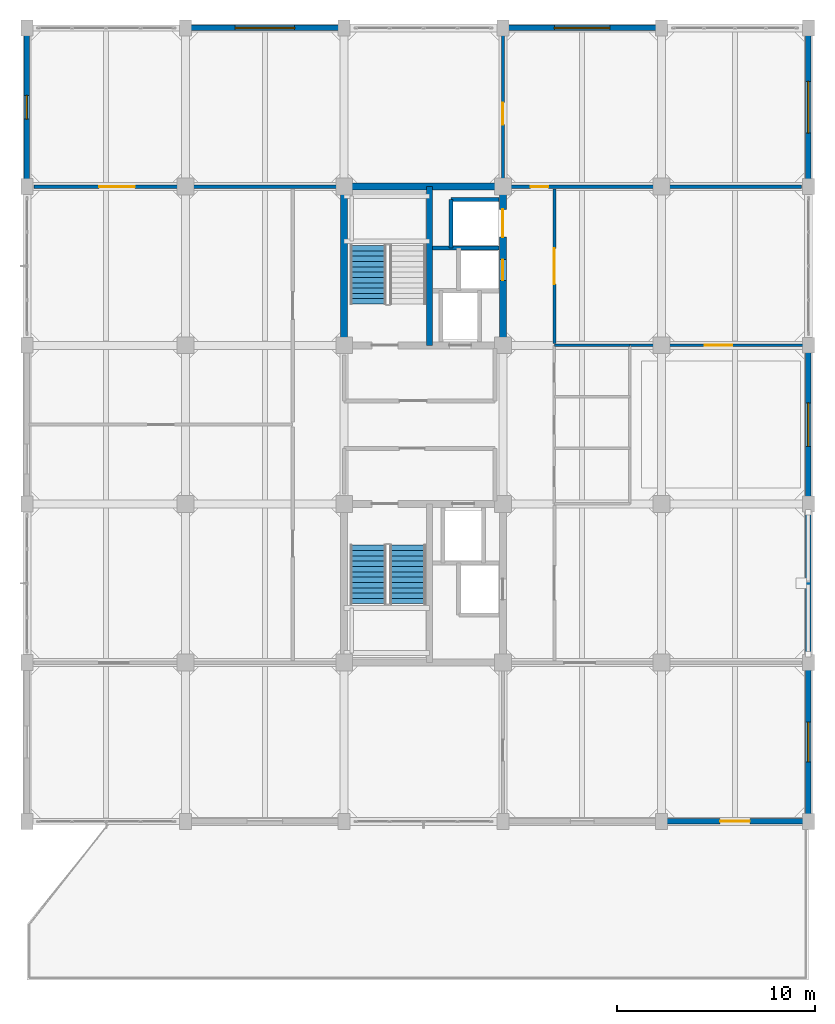
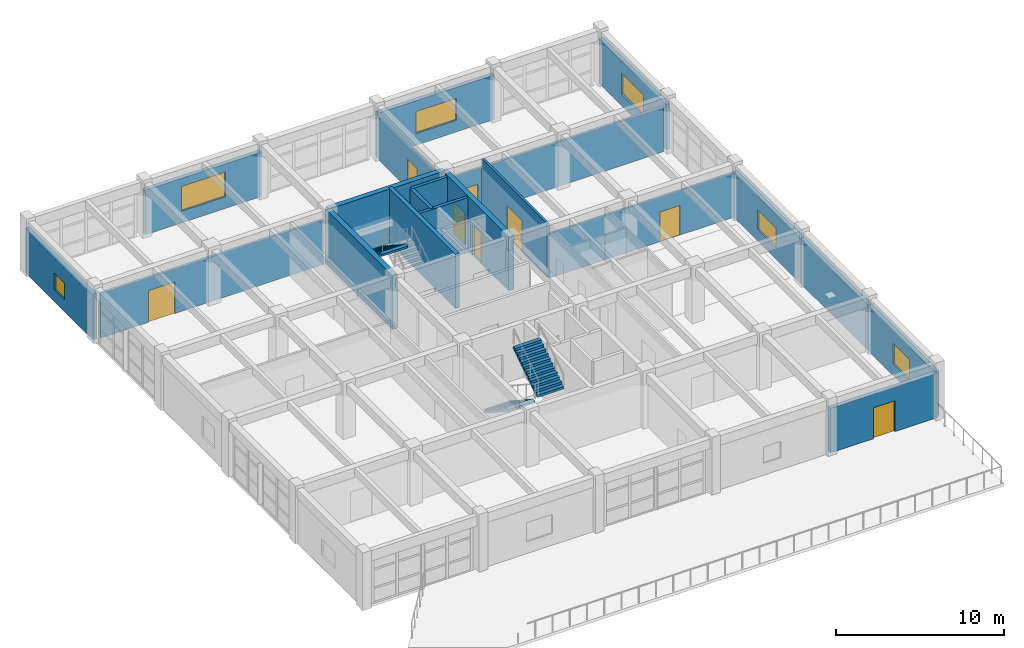
# One storey, part 23 of 30: 21 walls, 8 doors, 6 windows, 3 stair flights, 14 openings, 2 elements without a shape of their own.
"""IFC4 building model written with IfcOpenShell, lengths in metres."""

import ifcopenshell
import ifcopenshell.guid

model = None  # the IFC model being written
_history = None  # IfcOwnerHistory: only IFC2X3 demands one
_inside = {}  # id of a spatial element -> (the spatial element, [elements in it])
_under = {}  # id of a project, library or spatial element -> (it, [spatial elements below it])
_declared = {}  # id of a project -> (the project, [libraries it declares])
_typed = {}  # id of a type object -> (the type object, [elements of that type])
_made_of = {}  # id of a material, layer set ... -> (it, [elements and type objects made of it])


def new_model(schema):
    """Start an empty IFC model of exactly this schema.

    Asked for "IFC4X3", IfcOpenShell would pick the latest addendum, in which some entities
    have other attributes; the version numbers below select the first issue.
    IFC2X3 requires an IfcOwnerHistory on every rooted entity: one is made here for all.
    """
    global model, _history
    if schema == "IFC4X3":
        model = ifcopenshell.file(schema_version=(4, 3, 0, 0))
    else:
        model = ifcopenshell.file(schema=schema)
    _inside.clear()
    _under.clear()
    _declared.clear()
    _typed.clear()
    _made_of.clear()
    _history = None
    if model.schema == "IFC2X3":
        org = make("IfcOrganization", Name="unknown")
        user = make(
            "IfcPersonAndOrganization",
            ThePerson=make("IfcPerson", FamilyName="unknown"),
            TheOrganization=org,
        )
        app = make(
            "IfcApplication",
            ApplicationDeveloper=org,
            Version="unknown",
            ApplicationFullName="unknown",
            ApplicationIdentifier="unknown",
        )
        _history = make(
            "IfcOwnerHistory",
            OwningUser=user,
            OwningApplication=app,
            ChangeAction="ADDED",
            CreationDate=0,
        )
    return model


def make(cls, **values):
    """One entity of the class cls with the attributes given. An attribute that is None is left unset."""
    return model.create_entity(
        cls, **{name: value for name, value in values.items() if value is not None}
    )


def rooted(cls, **values):
    """An entity with a GlobalId (a new one), such as an element, a storey or a relation."""
    return make(cls, GlobalId=ifcopenshell.guid.new(), OwnerHistory=_history, **values)


def si_unit(unit_type, name, prefix=None):
    """IfcSIUnit, for example si_unit("LENGTHUNIT", "METRE", prefix="MILLI")."""
    return make("IfcSIUnit", UnitType=unit_type, Prefix=prefix, Name=name)


def assignment(units):
    """IfcUnitAssignment: the units of a project."""
    return None if units is None else make("IfcUnitAssignment", Units=units)


def point(xyz):
    """IfcCartesianPoint."""
    return None if xyz is None else make("IfcCartesianPoint", Coordinates=xyz)


def direction(xyz):
    """IfcDirection."""
    return None if xyz is None else make("IfcDirection", DirectionRatios=xyz)


def frame(location, z_axis=None, x_axis=None):
    """IfcAxis2Placement3D, a coordinate frame: its origin and axes. An axis left out is left unset."""
    return make(
        "IfcAxis2Placement3D",
        Location=point(location),
        Axis=direction(z_axis),
        RefDirection=direction(x_axis),
    )


def frame_2d(location, x_axis=None):
    """IfcAxis2Placement2D, a coordinate frame in the plane: its origin and x axis."""
    return make(
        "IfcAxis2Placement2D", Location=point(location), RefDirection=direction(x_axis)
    )


def origin():
    """The frame at (0, 0, 0) with its axes left unset."""
    return frame((0.0, 0.0, 0.0))


def place(relative_to, where):
    """IfcLocalPlacement: puts the frame where relative to a parent placement (None: the world)."""
    return make(
        "IfcLocalPlacement", PlacementRelTo=relative_to, RelativePlacement=where
    )


def context(
    kind, dimensions, precision=None, world=None, true_north=None, identifier=None
):
    """IfcGeometricRepresentationContext, for example the 3D "Model" context."""
    return make(
        "IfcGeometricRepresentationContext",
        ContextIdentifier=identifier,
        ContextType=kind,
        CoordinateSpaceDimension=dimensions,
        Precision=precision,
        WorldCoordinateSystem=world,
        TrueNorth=true_north,
    )


def subcontext(parent, identifier, kind, view, scale=None):
    """IfcGeometricRepresentationSubContext, for example "Body" below "Model"."""
    return make(
        "IfcGeometricRepresentationSubContext",
        ContextIdentifier=identifier,
        ContextType=kind,
        ParentContext=parent,
        TargetScale=scale,
        TargetView=view,
    )


def project(units=None, contexts=None):
    """IfcProject with its units and contexts."""
    return rooted(
        "IfcProject",
        Name="project",
        RepresentationContexts=contexts,
        UnitsInContext=assignment(units),
    )


def spatial(cls, under=None, at=None, **own):
    """A site, building, storey or space (cls), placed at a placement, below another one or the project."""
    s = rooted(cls, ObjectPlacement=at, **own)
    if under is not None:
        _under.setdefault(under.id(), (under, []))[1].append(s)
    return s


def polyline(points):
    """IfcPolyline through the points."""
    return make("IfcPolyline", Points=[point(p) for p in points])


def profile(cls, at=None, kind="AREA", **sizes):
    """A parametric profile (cls). Its sizes go by their IFC names, for example OverallWidth=200.0."""
    return make(cls, ProfileType=kind, Position=at, **sizes)


def rectangle(**sizes):
    """IfcRectangleProfileDef."""
    return profile("IfcRectangleProfileDef", **sizes)


def outline(outer, holes=None, kind="AREA"):
    """IfcArbitraryClosedProfileDef: a profile drawn as a closed curve; with holes, ...WithVoids."""
    if holes is None:
        return make("IfcArbitraryClosedProfileDef", ProfileType=kind, OuterCurve=outer)
    return make(
        "IfcArbitraryProfileDefWithVoids",
        ProfileType=kind,
        OuterCurve=outer,
        InnerCurves=holes,
    )


def extrude(swept, where, along, depth):
    """IfcExtrudedAreaSolid: the profile swept, set in the frame where, extruded along a direction by depth."""
    return make(
        "IfcExtrudedAreaSolid",
        SweptArea=swept,
        Position=where,
        ExtrudedDirection=direction(along),
        Depth=depth,
    )


def shape(context_of_items, identifier, shape_type, items):
    """IfcShapeRepresentation: the items that make up one representation, for example the "Body"."""
    return make(
        "IfcShapeRepresentation",
        ContextOfItems=context_of_items,
        RepresentationIdentifier=identifier,
        RepresentationType=shape_type,
        Items=items,
    )


def material(Name=None, Category=None):
    """IfcMaterial."""
    return make("IfcMaterial", Name=Name, Category=Category)


def layer(
    of_material, thickness, ventilated=None, Name=None, Category=None, Priority=None
):
    """IfcMaterialLayer: one layer of a wall or slab, of a material (None: an air gap)."""
    return make(
        "IfcMaterialLayer",
        Material=of_material,
        LayerThickness=thickness,
        IsVentilated=ventilated,
        Name=Name,
        Category=Category,
        Priority=Priority,
    )


def layer_set(layers, Name=None):
    """IfcMaterialLayerSet."""
    return make("IfcMaterialLayerSet", MaterialLayers=layers, LayerSetName=Name)


def made_of(thing, what):
    """Note that an element or type object is made of a material, layer set ...; save() writes the relation."""
    if what is not None:
        _made_of.setdefault(what.id(), (what, []))[1].append(thing)
    return thing


def type_object(cls, material=None, **own):
    """A type object (cls), such as IfcWallType, which elements share."""
    return made_of(rooted(cls, **own), material)


def element(
    cls,
    number,
    at=None,
    inside=None,
    cuts=None,
    type_object=None,
    material=None,
    context=None,
    identifier="Body",
    shape_type=None,
    held_by="IfcProductDefinitionShape",
    body=None,
    shapes=None,
    **own,
):
    """One element of the class cls, such as IfcWall. Its Tag is "e" and its number.

    at: its placement. inside: the storey or other place that contains it. cuts: it is an
    opening in that element (IfcRelVoidsElement). A single representation is given by context,
    identifier, shape_type and body (its items); several are given by shapes. held_by: the class
    of the entity that holds the representations. save() writes the other relations.
    """
    e = rooted(cls, Tag="e%d" % number, ObjectPlacement=at, **own)
    if body is not None:
        shapes = [shape(context, identifier, shape_type, body)]
    if shapes is not None:
        e.Representation = make(held_by, Representations=shapes)
    if inside is not None:
        _inside.setdefault(inside.id(), (inside, []))[1].append(e)
    if cuts is not None:
        rooted(
            "IfcRelVoidsElement", RelatingBuildingElement=cuts, RelatedOpeningElement=e
        )
    if type_object is not None:
        _typed.setdefault(type_object.id(), (type_object, []))[1].append(e)
    return made_of(e, material)


def fill(opening, filler):
    """IfcRelFillsElement: the door or window that sits in an opening."""
    return rooted(
        "IfcRelFillsElement",
        RelatingOpeningElement=opening,
        RelatedBuildingElement=filler,
    )


def aggregate(whole, parts):
    """IfcRelAggregates: a whole, such as a stair, and the parts it consists of."""
    return rooted("IfcRelAggregates", RelatingObject=whole, RelatedObjects=parts)


def save(model, path):
    """Write the relations noted so far, then the file.

    IfcRelAggregates (storeys below a building ...), IfcRelContainedInSpatialStructure (elements
    in a storey), IfcRelDefinesByType, IfcRelAssociatesMaterial and IfcRelDeclares: one each for
    every whole, place, type object, material and project.
    """
    for whole, parts in _under.values():
        aggregate(whole, parts)
    for where, things in _inside.values():
        rooted(
            "IfcRelContainedInSpatialStructure",
            RelatedElements=things,
            RelatingStructure=where,
        )
    for kind, things in _typed.values():
        rooted("IfcRelDefinesByType", RelatedObjects=things, RelatingType=kind)
    for what, things in _made_of.values():
        rooted("IfcRelAssociatesMaterial", RelatedObjects=things, RelatingMaterial=what)
    for by, libraries in _declared.values():
        rooted("IfcRelDeclares", RelatingContext=by, RelatedDefinitions=libraries)
    model.write(path)


model = new_model("IFC4")

# Units and contexts
model_context = context("Model", 3, precision=1e-05, world=origin(), true_north=direction((0.0, 1.0)))
body_context = subcontext(model_context, "Body", "Model", "MODEL_VIEW")
ifc_project = project(units=[si_unit("LENGTHUNIT", "METRE"), si_unit("AREAUNIT", "SQUARE_METRE"), si_unit("VOLUMEUNIT", "CUBIC_METRE"), si_unit("PLANEANGLEUNIT", "RADIAN"), si_unit("MASSUNIT", "GRAM", prefix="KILO")], contexts=[model_context])

# Site, building, storey
site_placement = place(None, origin())
site = spatial("IfcSite", under=ifc_project, at=site_placement, CompositionType="ELEMENT")
building_placement = place(site_placement, origin())
building = spatial("IfcBuilding", under=site, at=building_placement, Name="Canggui Botanical Conservatory", CompositionType="ELEMENT")
storey_placement = place(building_placement, frame((0.0, 0.0, 27.60009765625)))
storey = spatial("IfcBuildingStorey", under=building, at=storey_placement, Name="L07", CompositionType="ELEMENT", Elevation=27.60009765625)

# Wall, opening, door
ifc_material_1 = material(Name="Precast Concrete C40", Category="concrete")
ifc_layer_1 = layer(ifc_material_1, 0.280029296875, Name="Precast Concrete C40", Category="concrete")
ifc_layer_set_1 = layer_set([ifc_layer_1], Name="Precast Concrete C40")
wall_type_1 = type_object("IfcWallType", Name="EW-280", PredefinedType="STANDARD", material=ifc_layer_set_1)
wall_1_placement = place(storey_placement, frame((177.39990234375, 34.0, 0.0), z_axis=(0.0, 0.0, 1.0), x_axis=(-1.0, 0.0, 0.0)))
wall_1 = element("IfcWall", 1, at=wall_1_placement, inside=storey, type_object=wall_type_1, Name="Tower Insulated Exterior Wall L07-S1", PredefinedType="STANDARD", context=body_context, shape_type="SweptSolid", body=[
    extrude(rectangle(XDim=7.39990234375, YDim=0.280029296875, at=frame_2d((3.699951171875, 0.0))), origin(), (0.0, 0.0, 1.0), 3.239990234375),
])
opening_1_placement = place(wall_1_placement, frame((2.949951171875, 0.0, 0.0)))
opening_1 = element("IfcOpeningElement", 2, at=opening_1_placement, cuts=wall_1, Name="Opening TD-01", PredefinedType="OPENING", context=body_context, shape_type="SweptSolid", body=[
    extrude(rectangle(XDim=1.5, YDim=2.25, at=frame_2d((0.75, 1.125))), frame((0.0, 0.14990234375, 0.0), z_axis=(0.0, -1.0, 0.0), x_axis=(1.0, 0.0, 0.0)), (0.0, 0.0, 1.0), 0.300048828125),
])
ifc_material_2 = material(Name="Anodised Aluminium", Category="aluminium")
door_type_1 = type_object("IfcDoorType", Name="EDR-TER15", OperationType="NOTDEFINED", PredefinedType="DOOR", material=ifc_material_2)
door_1_placement = place(opening_1_placement, origin())
door_1 = element("IfcDoor", 3, at=door_1_placement, inside=storey, type_object=door_type_1, Name="Sky Terrace Access Door L07", OperationType="SINGLE_SWING_LEFT", OverallHeight=2.25, OverallWidth=1.5, PredefinedType="DOOR", context=body_context, shape_type="SweptSolid", body=[
    extrude(rectangle(XDim=1.5, YDim=2.25, at=frame_2d((0.75, 1.125))), frame((0.0, 0.02490234375, 0.0), z_axis=(0.0, -1.0, 0.0), x_axis=(1.0, 0.0, 0.0)), (0.0, 0.0, 1.0), 0.050048828125),
])
fill(opening_1, door_1)

# Wall, opening, window
wall_2_placement = place(storey_placement, frame((138.0, 66.0, 0.0), z_axis=(0.0, 0.0, 1.0), x_axis=(0.0, 1.0, 0.0)))
wall_2 = element("IfcWall", 4, at=wall_2_placement, inside=storey, type_object=wall_type_1, Name="Tower Insulated Exterior Wall L07-W10", PredefinedType="STANDARD", context=body_context, shape_type="SweptSolid", body=[
    extrude(rectangle(XDim=8.0, YDim=0.280029296875, at=frame_2d((4.0, 0.0))), origin(), (0.0, 0.0, 1.0), 3.289794921875),
])
opening_2_placement = place(wall_2_placement, frame((3.39990234375, 0.0, 0.85009765625)))
opening_2 = element("IfcOpeningElement", 5, at=opening_2_placement, cuts=wall_2, Name="Opening W-06", PredefinedType="OPENING", context=body_context, shape_type="SweptSolid", body=[
    extrude(rectangle(XDim=1.199951171875, YDim=1.199951171875, at=frame_2d((0.60009765625, 0.60009765625))), frame((0.0, 0.14990234375, 0.0), z_axis=(0.0, -1.0, 0.0), x_axis=(1.0, 0.0, 0.0)), (0.0, 0.0, 1.0), 0.300048828125),
])
ifc_material_3 = material(Name="Low-E Insulated Glass", Category="glass")
window_type_1 = type_object("IfcWindowType", Name="WIN-06", PartitioningType="SINGLE_PANEL", PredefinedType="WINDOW", material=ifc_material_3)
window_1_placement = place(opening_2_placement, origin())
window_1 = element("IfcWindow", 6, at=window_1_placement, inside=storey, type_object=window_type_1, Name="Tower Firefighter Rescue Window L07-10", OverallHeight=1.199951171875, OverallWidth=1.199951171875, PartitioningType="SINGLE_PANEL", PredefinedType="WINDOW", context=body_context, shape_type="SweptSolid", body=[
    extrude(rectangle(XDim=1.199951171875, YDim=1.199951171875, at=frame_2d((0.60009765625, 0.60009765625))), frame((0.0, 0.030029296875, 0.0), z_axis=(0.0, -1.0, 0.0), x_axis=(1.0, 0.0, 0.0)), (0.0, 0.0, 1.0), 0.06005859375),
])
fill(opening_2, window_1)

wall_3_placement = place(storey_placement, frame((146.0, 74.0, 0.0), z_axis=(0.0, 0.0, 1.0), x_axis=(1.0, 0.0, 0.0)))
wall_3 = element("IfcWall", 7, at=wall_3_placement, inside=storey, type_object=wall_type_1, Name="Tower Insulated Exterior Wall L07-N12", PredefinedType="STANDARD", context=body_context, shape_type="SweptSolid", body=[
    extrude(rectangle(XDim=8.0, YDim=0.280029296875, at=frame_2d((4.0, 0.0))), origin(), (0.0, 0.0, 1.0), 3.239990234375),
])
opening_3_placement = place(wall_3_placement, frame((2.5, 0.0, 0.85009765625)))
opening_3 = element("IfcOpeningElement", 8, at=opening_3_placement, cuts=wall_3, Name="Opening W-07", PredefinedType="OPENING", context=body_context, shape_type="SweptSolid", body=[
    extrude(rectangle(XDim=3.0, YDim=1.800048828125, at=frame_2d((1.5, 0.89990234375))), frame((0.0, 0.14990234375, 0.0), z_axis=(0.0, -1.0, 0.0), x_axis=(1.0, 0.0, 0.0)), (0.0, 0.0, 1.0), 0.300048828125),
])
window_type_2 = type_object("IfcWindowType", Name="WIN-07", PartitioningType="TRIPLE_PANEL_VERTICAL", PredefinedType="WINDOW", material=ifc_material_3)
window_2_placement = place(opening_3_placement, origin())
window_2 = element("IfcWindow", 9, at=window_2_placement, inside=storey, type_object=window_type_2, Name="Tower Window L07-12", OverallHeight=1.800048828125, OverallWidth=3.0, PartitioningType="SINGLE_PANEL", PredefinedType="WINDOW", context=body_context, shape_type="SweptSolid", body=[
    extrude(rectangle(XDim=3.0, YDim=1.800048828125, at=frame_2d((1.5, 0.89990234375))), frame((0.0, 0.030029296875, 0.0), z_axis=(0.0, -1.0, 0.0), x_axis=(1.0, 0.0, 0.0)), (0.0, 0.0, 1.0), 0.06005859375),
])
fill(opening_3, window_2)

wall_4_placement = place(storey_placement, frame((162.0, 74.0, 0.0), z_axis=(0.0, 0.0, 1.0), x_axis=(1.0, 0.0, 0.0)))
wall_4 = element("IfcWall", 10, at=wall_4_placement, inside=storey, type_object=wall_type_1, Name="Tower Insulated Exterior Wall L07-N14", PredefinedType="STANDARD", context=body_context, shape_type="SweptSolid", body=[
    extrude(rectangle(XDim=8.0, YDim=0.280029296875, at=frame_2d((4.0, 0.0))), origin(), (0.0, 0.0, 1.0), 3.239990234375),
])
opening_4_placement = place(wall_4_placement, frame((2.60009765625, 0.0, 0.85009765625)))
opening_4 = element("IfcOpeningElement", 11, at=opening_4_placement, cuts=wall_4, Name="Opening W-08", PredefinedType="OPENING", context=body_context, shape_type="SweptSolid", body=[
    extrude(rectangle(XDim=2.800048828125, YDim=1.60009765625, at=frame_2d((1.39990234375, 0.800048828125))), frame((0.0, 0.14990234375, 0.0), z_axis=(0.0, -1.0, 0.0), x_axis=(1.0, 0.0, 0.0)), (0.0, 0.0, 1.0), 0.300048828125),
])
window_type_3 = type_object("IfcWindowType", Name="WIN-08", PartitioningType="TRIPLE_PANEL_VERTICAL", PredefinedType="WINDOW", material=ifc_material_3)
window_3_placement = place(opening_4_placement, origin())
window_3 = element("IfcWindow", 12, at=window_3_placement, inside=storey, type_object=window_type_3, Name="Tower Window L07-14", OverallHeight=1.60009765625, OverallWidth=2.800048828125, PartitioningType="SINGLE_PANEL", PredefinedType="WINDOW", context=body_context, shape_type="SweptSolid", body=[
    extrude(rectangle(XDim=2.800048828125, YDim=1.60009765625, at=frame_2d((1.39990234375, 0.800048828125))), frame((0.0, 0.030029296875, 0.0), z_axis=(0.0, -1.0, 0.0), x_axis=(1.0, 0.0, 0.0)), (0.0, 0.0, 1.0), 0.06005859375),
])
fill(opening_4, window_3)

wall_5_placement = place(storey_placement, frame((177.39990234375, 74.0, 0.0), z_axis=(0.0, 0.0, 1.0), x_axis=(0.0, -1.0, 0.0)))
wall_5 = element("IfcWall", 13, at=wall_5_placement, inside=storey, type_object=wall_type_1, Name="Tower Insulated Exterior Wall L07-E16", PredefinedType="STANDARD", context=body_context, shape_type="SweptSolid", body=[
    extrude(rectangle(XDim=8.0, YDim=0.280029296875, at=frame_2d((4.0, 0.0))), origin(), (0.0, 0.0, 1.0), 3.289794921875),
])
opening_5_placement = place(wall_5_placement, frame((2.699951171875, 0.0, 0.85009765625)))
opening_5 = element("IfcOpeningElement", 14, at=opening_5_placement, cuts=wall_5, Name="Opening W-09", PredefinedType="OPENING", context=body_context, shape_type="SweptSolid", body=[
    extrude(rectangle(XDim=2.60009765625, YDim=1.5, at=frame_2d((1.300048828125, 0.75))), frame((0.0, 0.14990234375, 0.0), z_axis=(0.0, -1.0, 0.0), x_axis=(1.0, 0.0, 0.0)), (0.0, 0.0, 1.0), 0.300048828125),
])
window_type_4 = type_object("IfcWindowType", Name="WIN-09", PartitioningType="DOUBLE_PANEL_VERTICAL", PredefinedType="WINDOW", material=ifc_material_3)
window_4_placement = place(opening_5_placement, origin())
window_4 = element("IfcWindow", 15, at=window_4_placement, inside=storey, type_object=window_type_4, Name="Tower Window L07-16", OverallHeight=1.5, OverallWidth=2.60009765625, PartitioningType="SINGLE_PANEL", PredefinedType="WINDOW", context=body_context, shape_type="SweptSolid", body=[
    extrude(rectangle(XDim=2.60009765625, YDim=1.5, at=frame_2d((1.300048828125, 0.75))), frame((0.0, 0.030029296875, 0.0), z_axis=(0.0, -1.0, 0.0), x_axis=(1.0, 0.0, 0.0)), (0.0, 0.0, 1.0), 0.06005859375),
])
fill(opening_5, window_4)

wall_6_placement = place(storey_placement, frame((177.39990234375, 58.0, 0.0), z_axis=(0.0, 0.0, 1.0), x_axis=(0.0, -1.0, 0.0)))
wall_6 = element("IfcWall", 16, at=wall_6_placement, inside=storey, type_object=wall_type_1, Name="Tower Insulated Exterior Wall L07-E18", PredefinedType="STANDARD", context=body_context, shape_type="SweptSolid", body=[
    extrude(rectangle(XDim=8.0, YDim=0.280029296875, at=frame_2d((4.0, 0.0))), origin(), (0.0, 0.0, 1.0), 3.289794921875),
])
opening_6_placement = place(wall_6_placement, frame((2.89990234375, 0.0, 0.85009765625)))
opening_6 = element("IfcOpeningElement", 17, at=opening_6_placement, cuts=wall_6, Name="Opening W-10", PredefinedType="OPENING", context=body_context, shape_type="SweptSolid", body=[
    extrude(rectangle(XDim=2.199951171875, YDim=1.39990234375, at=frame_2d((1.10009765625, 0.699951171875))), frame((0.0, 0.14990234375, 0.0), z_axis=(0.0, -1.0, 0.0), x_axis=(1.0, 0.0, 0.0)), (0.0, 0.0, 1.0), 0.300048828125),
])
window_type_5 = type_object("IfcWindowType", Name="WIN-10", PartitioningType="DOUBLE_PANEL_VERTICAL", PredefinedType="WINDOW", material=ifc_material_3)
window_5_placement = place(opening_6_placement, origin())
window_5 = element("IfcWindow", 18, at=window_5_placement, inside=storey, type_object=window_type_5, Name="Tower Window L07-18", OverallHeight=1.39990234375, OverallWidth=2.199951171875, PartitioningType="SINGLE_PANEL", PredefinedType="WINDOW", context=body_context, shape_type="SweptSolid", body=[
    extrude(rectangle(XDim=2.199951171875, YDim=1.39990234375, at=frame_2d((1.10009765625, 0.699951171875))), frame((0.0, 0.030029296875, 0.0), z_axis=(0.0, -1.0, 0.0), x_axis=(1.0, 0.0, 0.0)), (0.0, 0.0, 1.0), 0.06005859375),
])
fill(opening_6, window_5)

# Wall
wall_7_placement = place(storey_placement, frame((177.39990234375, 50.0, 0.0), z_axis=(0.0, 0.0, 1.0), x_axis=(0.0, -1.0, 0.0)))
element("IfcWall", 19, at=wall_7_placement, inside=storey, type_object=wall_type_1, Name="Tower Insulated Exterior Wall L07-E19", PredefinedType="STANDARD", context=body_context, shape_type="SweptSolid", body=[
    extrude(rectangle(XDim=8.0, YDim=0.280029296875, at=frame_2d((4.0, 0.0))), origin(), (0.0, 0.0, 1.0), 3.289794921875),
])

# Wall, opening, window
wall_8_placement = place(storey_placement, frame((177.39990234375, 42.0, 0.0), z_axis=(0.0, 0.0, 1.0), x_axis=(0.0, -1.0, 0.0)))
wall_8 = element("IfcWall", 20, at=wall_8_placement, inside=storey, type_object=wall_type_1, Name="Tower Insulated Exterior Wall L07-E20", PredefinedType="STANDARD", context=body_context, shape_type="SweptSolid", body=[
    extrude(rectangle(XDim=8.0, YDim=0.280029296875, at=frame_2d((4.0, 0.0))), origin(), (0.0, 0.0, 1.0), 3.289794921875),
])
opening_7_placement = place(wall_8_placement, frame((3.0, 0.0, 0.85009765625)))
opening_7 = element("IfcOpeningElement", 21, at=opening_7_placement, cuts=wall_8, Name="Opening W-11", PredefinedType="OPENING", context=body_context, shape_type="SweptSolid", body=[
    extrude(rectangle(XDim=2.0, YDim=1.5, at=frame_2d((1.0, 0.75))), frame((0.0, 0.14990234375, 0.0), z_axis=(0.0, -1.0, 0.0), x_axis=(1.0, 0.0, 0.0)), (0.0, 0.0, 1.0), 0.300048828125),
])
window_type_6 = type_object("IfcWindowType", Name="WIN-11", PartitioningType="DOUBLE_PANEL_VERTICAL", PredefinedType="WINDOW", material=ifc_material_3)
window_6_placement = place(opening_7_placement, origin())
window_6 = element("IfcWindow", 22, at=window_6_placement, inside=storey, type_object=window_type_6, Name="Tower Window L07-20", OverallHeight=1.5, OverallWidth=2.0, PartitioningType="SINGLE_PANEL", PredefinedType="WINDOW", context=body_context, shape_type="SweptSolid", body=[
    extrude(rectangle(XDim=2.0, YDim=1.5, at=frame_2d((1.0, 0.75))), frame((0.0, 0.030029296875, 0.0), z_axis=(0.0, -1.0, 0.0), x_axis=(1.0, 0.0, 0.0)), (0.0, 0.0, 1.0), 0.06005859375),
])
fill(opening_7, window_6)

# Wall, opening, door
ifc_material_4 = material(Name="Gypsum Plasterboard Partition")
ifc_layer_2 = layer(ifc_material_4, 0.175048828125, Name="Gypsum Plasterboard Partition")
ifc_layer_set_2 = layer_set([ifc_layer_2], Name="Gypsum Plasterboard Partition")
wall_type_2 = type_object("IfcWallType", Name="IW-CORR-175", PredefinedType="STANDARD", material=ifc_layer_set_2)
wall_9_placement = place(storey_placement, frame((138.35009765625, 66.0, 0.0), z_axis=(0.0, 0.0, 1.0), x_axis=(1.0, 0.0, 0.0)))
wall_9 = element("IfcWall", 23, at=wall_9_placement, inside=storey, type_object=wall_type_2, Name="L07 Confocal Fluorescence Microscopy Laboratory North Suite Wall", PredefinedType="STANDARD", context=body_context, shape_type="SweptSolid", body=[
    extrude(rectangle(XDim=15.2998046875, YDim=0.175048828125, at=frame_2d((7.64990234375, 0.0))), origin(), (0.0, 0.0, 1.0), 3.239990234375),
])
opening_8_placement = place(wall_9_placement, frame((3.300048828125, 0.0, 0.0)))
opening_8 = element("IfcOpeningElement", 24, at=opening_8_placement, cuts=wall_9, Name="Opening FD-17", PredefinedType="OPENING", context=body_context, shape_type="SweptSolid", body=[
    extrude(rectangle(XDim=1.800048828125, YDim=2.300048828125, at=frame_2d((0.89990234375, 1.14990234375))), frame((0.0, 0.09765625, 0.0), z_axis=(0.0, -1.0, 0.0), x_axis=(1.0, 0.0, 0.0)), (0.0, 0.0, 1.0), 0.195068359375),
])
ifc_material_5 = material(Name="Powder-Coated Steel", Category="steel")
door_type_2 = type_object("IfcDoorType", Name="FD-17", OperationType="NOTDEFINED", PredefinedType="DOOR", material=ifc_material_5)
door_2_placement = place(opening_8_placement, origin())
door_2 = element("IfcDoor", 25, at=door_2_placement, inside=storey, type_object=door_type_2, Name="Interior Door IW-L07-NCOR-1", OperationType="DOUBLE_DOOR_SINGLE_SWING", OverallHeight=2.300048828125, OverallWidth=1.800048828125, PredefinedType="DOOR", context=body_context, shape_type="SweptSolid", body=[
    extrude(rectangle(XDim=1.800048828125, YDim=2.300048828125, at=frame_2d((0.89990234375, 1.14990234375))), frame((0.0, 0.02490234375, 0.0), z_axis=(0.0, -1.0, 0.0), x_axis=(1.0, 0.0, 0.0)), (0.0, 0.0, 1.0), 0.050048828125),
])
fill(opening_8, door_2)

wall_10_placement = place(storey_placement, frame((162.35009765625, 66.0, 0.0), z_axis=(0.0, 0.0, 1.0), x_axis=(1.0, 0.0, 0.0)))
wall_10 = element("IfcWall", 26, at=wall_10_placement, inside=storey, type_object=wall_type_2, Name="L07 Botanical Research Write-Up Studio North Suite Wall", PredefinedType="STANDARD", context=body_context, shape_type="SweptSolid", body=[
    extrude(rectangle(XDim=14.699951171875, YDim=0.175048828125, at=frame_2d((7.35009765625, 0.0))), origin(), (0.0, 0.0, 1.0), 3.239990234375),
])
opening_9_placement = place(wall_10_placement, frame((1.050048828125, 0.0, 0.0)))
opening_9 = element("IfcOpeningElement", 27, at=opening_9_placement, cuts=wall_10, Name="Opening FD-01", PredefinedType="OPENING", context=body_context, shape_type="SweptSolid", body=[
    extrude(rectangle(XDim=0.89990234375, YDim=2.10009765625, at=frame_2d((0.449951171875, 1.050048828125))), frame((0.0, 0.09765625, 0.0), z_axis=(0.0, -1.0, 0.0), x_axis=(1.0, 0.0, 0.0)), (0.0, 0.0, 1.0), 0.195068359375),
])
door_type_3 = type_object("IfcDoorType", Name="FD-01", OperationType="NOTDEFINED", PredefinedType="DOOR", material=ifc_material_5)
door_3_placement = place(opening_9_placement, origin())
door_3 = element("IfcDoor", 28, at=door_3_placement, inside=storey, type_object=door_type_3, Name="Interior Door IW-L07-NCOR-2", OperationType="SINGLE_SWING_LEFT", OverallHeight=2.10009765625, OverallWidth=0.89990234375, PredefinedType="DOOR", context=body_context, shape_type="SweptSolid", body=[
    extrude(rectangle(XDim=0.89990234375, YDim=2.10009765625, at=frame_2d((0.449951171875, 1.050048828125))), frame((0.0, 0.02490234375, 0.0), z_axis=(0.0, -1.0, 0.0), x_axis=(1.0, 0.0, 0.0)), (0.0, 0.0, 1.0), 0.050048828125),
])
fill(opening_9, door_3)

ifc_layer_3 = layer(ifc_material_4, 0.155029296875, Name="Gypsum Plasterboard Partition")
ifc_layer_set_3 = layer_set([ifc_layer_3], Name="Gypsum Plasterboard Partition")
wall_type_3 = type_object("IfcWallType", Name="IW-LAB-155", PredefinedType="STANDARD", material=ifc_layer_set_3)
wall_11_placement = place(storey_placement, frame((164.60009765625, 58.080078125, 0.0), z_axis=(0.0, 0.0, 1.0), x_axis=(0.0, 1.0, 0.0)))
wall_11 = element("IfcWall", 29, at=wall_11_placement, inside=storey, type_object=wall_type_3, Name="L07 Optical Instrument Storage Room Lab Wall", PredefinedType="STANDARD", context=body_context, shape_type="SweptSolid", body=[
    extrude(rectangle(XDim=7.7998046875, YDim=0.155029296875, at=frame_2d((3.89990234375, 0.0))), origin(), (0.0, 0.0, 1.0), 3.89990234375),
])
opening_10_placement = place(wall_11_placement, frame((3.0, 0.0, 0.0)))
opening_10 = element("IfcOpeningElement", 30, at=opening_10_placement, cuts=wall_11, Name="Opening FD-17", PredefinedType="OPENING", context=body_context, shape_type="SweptSolid", body=[
    extrude(rectangle(XDim=1.800048828125, YDim=2.300048828125, at=frame_2d((0.89990234375, 1.14990234375))), frame((0.0, 0.08740234375, 0.0), z_axis=(0.0, -1.0, 0.0), x_axis=(1.0, 0.0, 0.0)), (0.0, 0.0, 1.0), 0.175048828125),
])
door_4_placement = place(opening_10_placement, origin())
door_4 = element("IfcDoor", 31, at=door_4_placement, inside=storey, type_object=door_type_2, Name="Interior Door IW-L07-ECOR-2-1", OperationType="DOUBLE_DOOR_SINGLE_SWING", OverallHeight=2.300048828125, OverallWidth=1.800048828125, PredefinedType="DOOR", context=body_context, shape_type="SweptSolid", body=[
    extrude(rectangle(XDim=1.800048828125, YDim=2.300048828125, at=frame_2d((0.89990234375, 1.14990234375))), frame((0.0, 0.02490234375, 0.0), z_axis=(0.0, -1.0, 0.0), x_axis=(1.0, 0.0, 0.0)), (0.0, 0.0, 1.0), 0.050048828125),
])
fill(opening_10, door_4)

ifc_layer_4 = layer(ifc_material_4, 0.139892578125, Name="Gypsum Plasterboard Partition")
ifc_layer_set_4 = layer_set([ifc_layer_4], Name="Gypsum Plasterboard Partition")
wall_type_4 = type_object("IfcWallType", Name="IW-PART-140", PredefinedType="STANDARD", material=ifc_layer_set_4)
wall_12_placement = place(storey_placement, frame((168.39990234375, 58.0, 0.0), z_axis=(0.0, 0.0, 1.0), x_axis=(1.0, 0.0, 0.0)))
wall_12 = element("IfcWall", 32, at=wall_12_placement, inside=storey, type_object=wall_type_4, Name="L07 Cytogenetics Research Laboratory Subdivision Wall", PredefinedType="STANDARD", context=body_context, shape_type="SweptSolid", body=[
    extrude(rectangle(XDim=8.960205078125, YDim=0.139892578125, at=frame_2d((4.47998046875, 0.0))), origin(), (0.0, 0.0, 1.0), 3.239990234375),
])
opening_11_placement = place(wall_12_placement, frame((3.7900390625, 0.0, 0.0)))
opening_11 = element("IfcOpeningElement", 33, at=opening_11_placement, cuts=wall_12, Name="Opening ID-11", PredefinedType="OPENING", context=body_context, shape_type="SweptSolid", body=[
    extrude(rectangle(XDim=1.3798828125, YDim=2.159912109375, at=frame_2d((0.68994140625, 1.080078125))), frame((0.0, 0.080078125, 0.0), z_axis=(0.0, -1.0, 0.0), x_axis=(1.0, 0.0, 0.0)), (0.0, 0.0, 1.0), 0.159912109375),
])
ifc_material_6 = material(Name="Engineered Timber Veneer", Category="wood")
door_type_4 = type_object("IfcDoorType", Name="ID-11", OperationType="NOTDEFINED", PredefinedType="DOOR", material=ifc_material_6)
door_5_placement = place(opening_11_placement, origin())
door_5 = element("IfcDoor", 34, at=door_5_placement, inside=storey, type_object=door_type_4, Name="Interior Door IW-L07-EDIV-1", OperationType="SINGLE_SWING_RIGHT", OverallHeight=2.159912109375, OverallWidth=1.3798828125, PredefinedType="DOOR", context=body_context, shape_type="SweptSolid", body=[
    extrude(rectangle(XDim=1.3798828125, YDim=2.159912109375, at=frame_2d((0.68994140625, 1.080078125))), frame((0.0, 0.02490234375, 0.0), z_axis=(0.0, -1.0, 0.0), x_axis=(1.0, 0.0, 0.0)), (0.0, 0.0, 1.0), 0.050048828125),
])
fill(opening_11, door_5)

wall_13_placement = place(storey_placement, frame((162.0, 66.1201171875, 0.0), z_axis=(0.0, 0.0, 1.0), x_axis=(0.0, 1.0, 0.0)))
wall_13 = element("IfcWall", 35, at=wall_13_placement, inside=storey, type_object=wall_type_4, Name="L07 Confocal Fluorescence Microscopy Laboratory North Cross Wall", PredefinedType="STANDARD", context=body_context, shape_type="SweptSolid", body=[
    extrude(rectangle(XDim=7.829833984375, YDim=0.139892578125, at=frame_2d((3.9150390625, 0.0))), origin(), (0.0, 0.0, 1.0), 3.289794921875),
])
opening_12_placement = place(wall_13_placement, frame((3.0, 0.0, 0.0)))
opening_12 = element("IfcOpeningElement", 36, at=opening_12_placement, cuts=wall_13, Name="Opening ID-06", PredefinedType="OPENING", context=body_context, shape_type="SweptSolid", body=[
    extrude(rectangle(XDim=1.1201171875, YDim=2.1201171875, at=frame_2d((0.56005859375, 1.06005859375))), frame((0.0, 0.080078125, 0.0), z_axis=(0.0, -1.0, 0.0), x_axis=(1.0, 0.0, 0.0)), (0.0, 0.0, 1.0), 0.159912109375),
])
door_type_5 = type_object("IfcDoorType", Name="ID-06", OperationType="NOTDEFINED", PredefinedType="DOOR", material=ifc_material_6)
door_6_placement = place(opening_12_placement, origin())
door_6 = element("IfcDoor", 37, at=door_6_placement, inside=storey, type_object=door_type_5, Name="Interior Door IW-L07-NDIV-1", OperationType="SINGLE_SWING_RIGHT", OverallHeight=2.1201171875, OverallWidth=1.1201171875, PredefinedType="DOOR", context=body_context, shape_type="SweptSolid", body=[
    extrude(rectangle(XDim=1.1201171875, YDim=2.1201171875, at=frame_2d((0.56005859375, 1.06005859375))), frame((0.0, 0.02490234375, 0.0), z_axis=(0.0, -1.0, 0.0), x_axis=(1.0, 0.0, 0.0)), (0.0, 0.0, 1.0), 0.050048828125),
])
fill(opening_12, door_6)

# Walls
ifc_material_7 = material(Name="Concrete C35", Category="concrete")
ifc_layer_5 = layer(ifc_material_7, 0.215087890625, Name="Concrete C35", Category="concrete")
ifc_layer_set_5 = layer_set([ifc_layer_5], Name="Concrete C35")
wall_type_5 = type_object("IfcWallType", Name="IW-SHAFT-215", PredefinedType="STANDARD", material=ifc_layer_set_5)
wall_14_placement = place(storey_placement, frame((158.449951171875, 62.89990234375, 0.0), z_axis=(0.0, 0.0, 1.0), x_axis=(1.0, 0.0, 0.0)))
element("IfcWall", 38, at=wall_14_placement, inside=storey, type_object=wall_type_5, Name="Core T2 Goods Lift Shaft Divider L07", PredefinedType="STANDARD", context=body_context, shape_type="SweptSolid", body=[
    extrude(rectangle(XDim=3.35009765625, YDim=0.215087890625, at=frame_2d((1.675048828125, 0.0))), origin(), (0.0, 0.0, 1.0), 3.89990234375),
])
wall_15_placement = place(storey_placement, frame((159.3798828125, 62.89990234375, 0.0), z_axis=(0.0, 0.0, 1.0), x_axis=(0.0, 1.0, 0.0)))
element("IfcWall", 39, at=wall_15_placement, inside=storey, type_object=wall_type_5, Name="Core T2 GL-01 West Shaft Wall L07", PredefinedType="STANDARD", context=body_context, shape_type="SweptSolid", body=[
    extrude(rectangle(XDim=2.4501953125, YDim=0.215087890625, at=frame_2d((1.22509765625, 0.0))), origin(), (0.0, 0.0, 1.0), 3.89990234375),
])
wall_16_placement = place(storey_placement, frame((159.3798828125, 65.35009765625, 0.0), z_axis=(0.0, 0.0, 1.0), x_axis=(1.0, 0.0, 0.0)))
element("IfcWall", 40, at=wall_16_placement, inside=storey, type_object=wall_type_5, Name="Core T2 GL-01 North Shaft Wall L07", PredefinedType="STANDARD", context=body_context, shape_type="SweptSolid", body=[
    extrude(rectangle(XDim=2.420166015625, YDim=0.215087890625, at=frame_2d((1.2099609375, 0.0))), origin(), (0.0, 0.0, 1.0), 3.89990234375),
])
ifc_layer_6 = layer(ifc_material_4, 0.125, Name="Gypsum Plasterboard Partition")
ifc_layer_set_6 = layer_set([ifc_layer_6], Name="Gypsum Plasterboard Partition")
wall_type_6 = type_object("IfcWallType", Name="IW-WC-125", PredefinedType="STANDARD", material=ifc_layer_set_6)
wall_17_placement = place(storey_placement, frame((164.60009765625, 58.0, 0.0), z_axis=(0.0, 0.0, 1.0), x_axis=(1.0, 0.0, 0.0)))
element("IfcWall", 41, at=wall_17_placement, inside=storey, type_object=wall_type_6, Name="L07 Restroom Divider Y58.0", PredefinedType="STANDARD", context=body_context, shape_type="SweptSolid", body=[
    extrude(rectangle(XDim=3.7998046875, YDim=0.125, at=frame_2d((1.89990234375, 0.0))), origin(), (0.0, 0.0, 1.0), 3.239990234375),
])
ifc_layer_7 = layer(ifc_material_7, 0.280029296875, Name="Concrete C35", Category="concrete")
ifc_layer_set_7 = layer_set([ifc_layer_7], Name="Concrete C35")
wall_type_7 = type_object("IfcWallType", Name="WALL-SH-280-C35", PredefinedType="SHEAR", material=ifc_layer_set_7)
wall_18_placement = place(storey_placement, frame((158.300048828125, 58.0, 0.0), z_axis=(0.0, 0.0, 1.0), x_axis=(0.0, 1.0, 0.0)))
element("IfcWall", 42, at=wall_18_placement, inside=storey, type_object=wall_type_7, Name="Core T2 Internal Shear Web L07", PredefinedType="SHEAR", context=body_context, shape_type="SweptSolid", body=[
    extrude(rectangle(XDim=8.0, YDim=0.280029296875, at=frame_2d((4.0, 0.0))), origin(), (0.0, 0.0, 1.0), 3.949951171875),
])

# Wall, openings, doors
ifc_material_8 = material(Name="Concrete C40", Category="concrete")
ifc_layer_8 = layer(ifc_material_8, 0.35009765625, Name="Concrete C40", Category="concrete")
ifc_layer_set_8 = layer_set([ifc_layer_8], Name="Concrete C40")
wall_type_8 = type_object("IfcWallType", Name="WALL-SH-350-C40", PredefinedType="SHEAR", material=ifc_layer_set_8)
wall_19_placement = place(storey_placement, frame((162.0, 58.0, 0.0), z_axis=(0.0, 0.0, 1.0), x_axis=(0.0, 1.0, 0.0)))
wall_19 = element("IfcWall", 43, at=wall_19_placement, inside=storey, type_object=wall_type_8, Name="Core T2 Shear Wall L07-E", PredefinedType="SHEAR", context=body_context, shape_type="SweptSolid", body=[
    extrude(rectangle(XDim=8.0, YDim=0.35009765625, at=frame_2d((4.0, 0.0))), origin(), (0.0, 0.0, 1.0), 3.949951171875),
])
opening_13_placement = place(wall_19_placement, frame((3.27490234375, 0.0, 0.0)))
opening_13 = element("IfcOpeningElement", 44, at=opening_13_placement, cuts=wall_19, Name="Opening LD-02", PredefinedType="OPENING", context=body_context, shape_type="SweptSolid", body=[
    extrude(rectangle(XDim=1.050048828125, YDim=2.199951171875, at=frame_2d((0.52490234375, 1.10009765625))), frame((0.0, 0.18505859375, 0.0), z_axis=(0.0, -1.0, 0.0), x_axis=(1.0, 0.0, 0.0)), (0.0, 0.0, 1.0), 0.3701171875),
])
opening_14_placement = place(wall_19_placement, frame((5.449951171875, 0.0, 0.0)))
opening_14 = element("IfcOpeningElement", 45, at=opening_14_placement, cuts=wall_19, Name="Opening LD-03", PredefinedType="OPENING", context=body_context, shape_type="SweptSolid", body=[
    extrude(rectangle(XDim=1.39990234375, YDim=2.300048828125, at=frame_2d((0.699951171875, 1.14990234375))), frame((0.0, 0.18505859375, 0.0), z_axis=(0.0, -1.0, 0.0), x_axis=(1.0, 0.0, 0.0)), (0.0, 0.0, 1.0), 0.3701171875),
])
ifc_material_9 = material(Name="Stainless Steel 304", Category="steel")
door_type_6 = type_object("IfcDoorType", Name="LDR-02", OperationType="NOTDEFINED", PredefinedType="DOOR", material=ifc_material_9)
door_7_placement = place(opening_13_placement, origin())
door_7 = element("IfcDoor", 46, at=door_7_placement, inside=storey, type_object=door_type_6, Name="Passenger Lift PL-02 Landing Door L07", OperationType="SLIDING_TO_RIGHT", OverallHeight=2.199951171875, OverallWidth=1.050048828125, PredefinedType="DOOR", context=body_context, shape_type="SweptSolid", body=[
    extrude(rectangle(XDim=1.050048828125, YDim=2.199951171875, at=frame_2d((0.52490234375, 1.10009765625))), frame((0.0, 0.02490234375, 0.0), z_axis=(0.0, -1.0, 0.0), x_axis=(1.0, 0.0, 0.0)), (0.0, 0.0, 1.0), 0.050048828125),
])
fill(opening_13, door_7)
door_type_7 = type_object("IfcDoorType", Name="LDR-03", OperationType="NOTDEFINED", PredefinedType="DOOR", material=ifc_material_9)
door_8_placement = place(opening_14_placement, origin())
door_8 = element("IfcDoor", 47, at=door_8_placement, inside=storey, type_object=door_type_7, Name="Herbarium Goods Lift GL-01 Landing Door L07", OperationType="DOUBLE_DOOR_SLIDING", OverallHeight=2.300048828125, OverallWidth=1.39990234375, PredefinedType="DOOR", context=body_context, shape_type="SweptSolid", body=[
    extrude(rectangle(XDim=1.39990234375, YDim=2.300048828125, at=frame_2d((0.699951171875, 1.14990234375))), frame((0.0, 0.02490234375, 0.0), z_axis=(0.0, -1.0, 0.0), x_axis=(1.0, 0.0, 0.0)), (0.0, 0.0, 1.0), 0.050048828125),
])
fill(opening_14, door_8)

# Walls
for number, where, z_axis, x_axis, name in (
    (48, (162.0, 66.0, 0.0), (0.0, 0.0, 1.0), (-1.0, 0.0, 0.0), "Core T2 Shear Wall L07-N"),
    (49, (154.0, 66.0, 0.0), (0.0, 0.0, 1.0), (0.0, -1.0, 0.0), "Core T2 Shear Wall L07-W"),
):
    element("IfcWall", number, at=place(storey_placement, frame(where, z_axis=z_axis, x_axis=x_axis)), inside=storey, type_object=wall_type_8, Name=name, PredefinedType="SHEAR", context=body_context, shape_type="SweptSolid", body=[
        extrude(rectangle(XDim=8.0, YDim=0.35009765625, at=frame_2d((4.0, 0.0))), origin(), (0.0, 0.0, 1.0), 3.949951171875),
    ])

# Stair, stair flights
stair_type = type_object("IfcStairType", Name="STR-TYPE-6", PredefinedType="HALF_TURN_STAIR", material=ifc_material_7)
stair_1_placement = place(storey_placement, origin())
stair_1 = element("IfcStair", 50, at=stair_1_placement, inside=storey, type_object=stair_type, Name="L07 Tower South Smoke-Proof Stair ST-T1", PredefinedType="HALF_TURN_STAIR")
stair_flight_type = type_object("IfcStairFlightType", Name="SFL-TYPE-6", PredefinedType="STRAIGHT", material=ifc_material_7)
stair_flight_1_placement = place(storey_placement, frame((155.2099609375, 47.919921875, 0.0), z_axis=(0.0, 0.0, 1.0), x_axis=(0.0, -1.0, 0.0)))
stair_flight_1 = element("IfcStairFlight", 51, at=stair_flight_1_placement, type_object=stair_flight_type, Name="ST-T1 flight 1", NumberOfRisers=12, NumberOfTreads=11, PredefinedType="STRAIGHT", RiserHeight=0.175, TreadLength=0.268, context=body_context, shape_type="SweptSolid", body=[
    extrude(outline(polyline([(0.0, 0.0), (0.0, 0.175048828125), (0.26806640625, 0.175048828125), (0.26806640625, 0.35009765625), (0.535888671875, 0.35009765625), (0.535888671875, 0.52490234375), (0.803955078125, 0.52490234375), (0.803955078125, 0.699951171875), (1.072021484375, 0.699951171875), (1.072021484375, 0.875), (1.340087890625, 0.875), (1.340087890625, 1.050048828125), (1.60791015625, 1.050048828125), (1.60791015625, 1.22509765625), (1.8759765625, 1.22509765625), (1.8759765625, 1.39990234375), (2.14404296875, 1.39990234375), (2.14404296875, 1.574951171875), (2.412109375, 1.574951171875), (2.412109375, 1.75), (2.679931640625, 1.75), (2.679931640625, 1.925048828125), (2.947998046875, 1.925048828125), (2.947998046875, 2.10009765625), (2.947998046875, 1.781494140625), (0.2197265625, 0.0), (0.0, 0.0)])), frame((0.0, 0.91015625, 0.0), z_axis=(0.0, -1.0, 0.0), x_axis=(1.0, 0.0, 0.0)), (0.0, 0.0, 1.0), 1.820068359375),
])
stair_flight_2_placement = place(storey_placement, frame((157.2099609375, 44.971923828125, 2.099853515625), z_axis=(0.0, 0.0, 1.0), x_axis=(0.0, 1.0, 0.0)))
stair_flight_2 = element("IfcStairFlight", 52, at=stair_flight_2_placement, type_object=stair_flight_type, Name="ST-T1 flight 2", NumberOfRisers=12, NumberOfTreads=11, PredefinedType="STRAIGHT", RiserHeight=0.175, TreadLength=0.268, context=body_context, shape_type="SweptSolid", body=[
    extrude(outline(polyline([(0.0, 0.0), (0.0, 0.175048828125), (0.26806640625, 0.175048828125), (0.26806640625, 0.35009765625), (0.535888671875, 0.35009765625), (0.535888671875, 0.52490234375), (0.803955078125, 0.52490234375), (0.803955078125, 0.699951171875), (1.072021484375, 0.699951171875), (1.072021484375, 0.875), (1.340087890625, 0.875), (1.340087890625, 1.050048828125), (1.60791015625, 1.050048828125), (1.60791015625, 1.22509765625), (1.8759765625, 1.22509765625), (1.8759765625, 1.39990234375), (2.14404296875, 1.39990234375), (2.14404296875, 1.574951171875), (2.412109375, 1.574951171875), (2.412109375, 1.75), (2.679931640625, 1.75), (2.679931640625, 1.925048828125), (2.947998046875, 1.925048828125), (2.947998046875, 2.10009765625), (2.947998046875, 1.781494140625), (0.2197265625, 0.0), (0.0, 0.0)])), frame((0.0, 0.91015625, 0.0), z_axis=(0.0, -1.0, 0.0), x_axis=(1.0, 0.0, 0.0)), (0.0, 0.0, 1.0), 1.820068359375),
])
aggregate(stair_1, [stair_flight_1, stair_flight_2])

# Stair, stair flight
stair_2_placement = place(storey_placement, origin())
stair_2 = element("IfcStair", 53, at=stair_2_placement, inside=storey, type_object=stair_type, Name="L07 Tower North Smoke-Proof Stair ST-T2", PredefinedType="HALF_TURN_STAIR")
stair_flight_3_placement = place(storey_placement, frame((155.2099609375, 63.028076171875, 2.099853515625), z_axis=(0.0, 0.0, 1.0), x_axis=(0.0, -1.0, 0.0)))
stair_flight_3 = element("IfcStairFlight", 54, at=stair_flight_3_placement, type_object=stair_flight_type, Name="ST-T2 flight 2", NumberOfRisers=12, NumberOfTreads=11, PredefinedType="STRAIGHT", RiserHeight=0.175, TreadLength=0.268, context=body_context, shape_type="SweptSolid", body=[
    extrude(outline(polyline([(0.0, 0.0), (0.0, 0.175048828125), (0.26806640625, 0.175048828125), (0.26806640625, 0.35009765625), (0.535888671875, 0.35009765625), (0.535888671875, 0.52490234375), (0.803955078125, 0.52490234375), (0.803955078125, 0.699951171875), (1.072021484375, 0.699951171875), (1.072021484375, 0.875), (1.340087890625, 0.875), (1.340087890625, 1.050048828125), (1.60791015625, 1.050048828125), (1.60791015625, 1.22509765625), (1.8759765625, 1.22509765625), (1.8759765625, 1.39990234375), (2.14404296875, 1.39990234375), (2.14404296875, 1.574951171875), (2.412109375, 1.574951171875), (2.412109375, 1.75), (2.679931640625, 1.75), (2.679931640625, 1.925048828125), (2.947998046875, 1.925048828125), (2.947998046875, 2.10009765625), (2.947998046875, 1.781494140625), (0.2197265625, 0.0), (0.0, 0.0)])), frame((0.0, 0.91015625, 0.0), z_axis=(0.0, -1.0, 0.0), x_axis=(1.0, 0.0, 0.0)), (0.0, 0.0, 1.0), 1.820068359375),
])
aggregate(stair_2, [stair_flight_3])

save(model, "model.ifc")
